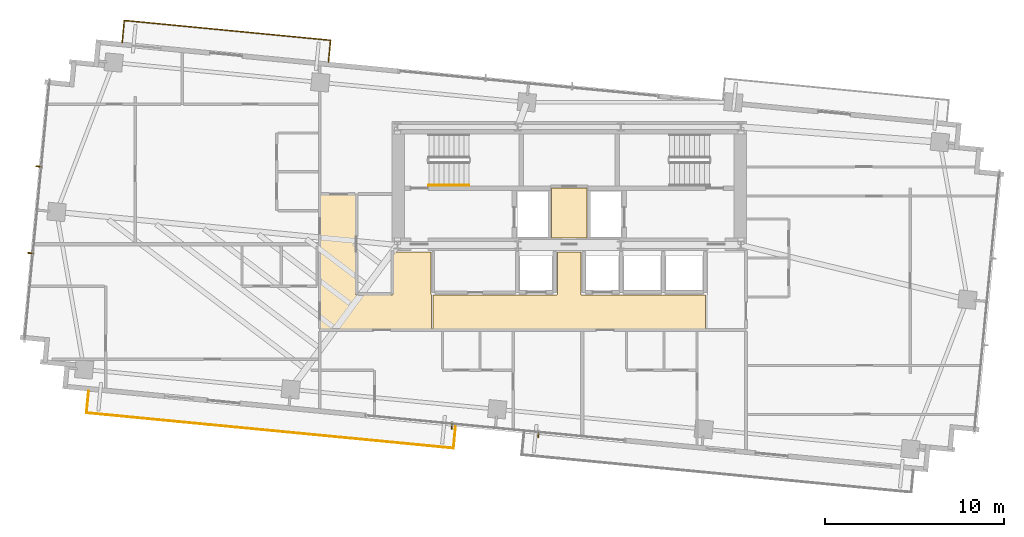
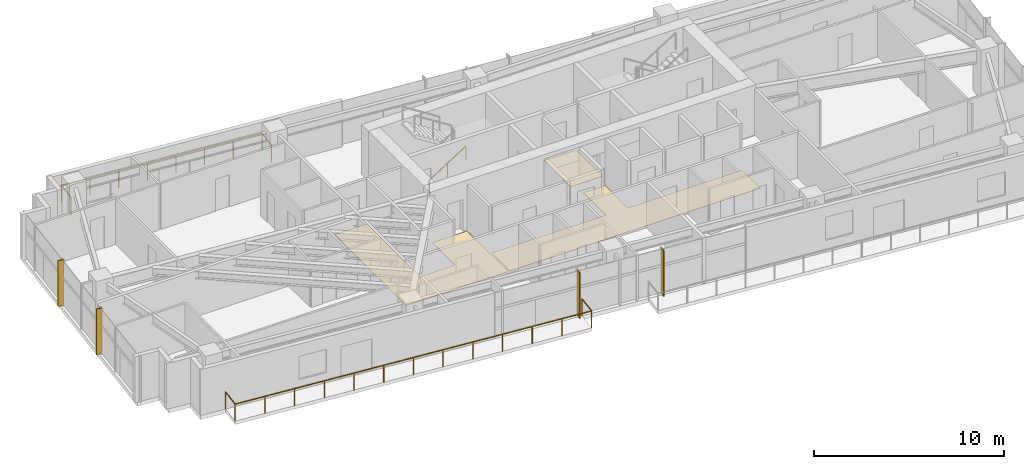
# One storey, part 19 of 20: 4 shading devices, 3 coverings, 3 railings.
"""IFC4 building model written with IfcOpenShell, lengths in metres."""

import ifcopenshell
import ifcopenshell.guid

model = None  # the IFC model being written
_history = None  # IfcOwnerHistory: only IFC2X3 demands one
_inside = {}  # id of a spatial element -> (the spatial element, [elements in it])
_under = {}  # id of a project, library or spatial element -> (it, [spatial elements below it])
_declared = {}  # id of a project -> (the project, [libraries it declares])
_typed = {}  # id of a type object -> (the type object, [elements of that type])
_made_of = {}  # id of a material, layer set ... -> (it, [elements and type objects made of it])


def new_model(schema):
    """Start an empty IFC model of exactly this schema.

    Asked for "IFC4X3", IfcOpenShell would pick the latest addendum, in which some entities
    have other attributes; the version numbers below select the first issue.
    IFC2X3 requires an IfcOwnerHistory on every rooted entity: one is made here for all.
    """
    global model, _history
    if schema == "IFC4X3":
        model = ifcopenshell.file(schema_version=(4, 3, 0, 0))
    else:
        model = ifcopenshell.file(schema=schema)
    _inside.clear()
    _under.clear()
    _declared.clear()
    _typed.clear()
    _made_of.clear()
    _history = None
    if model.schema == "IFC2X3":
        org = make("IfcOrganization", Name="unknown")
        user = make(
            "IfcPersonAndOrganization",
            ThePerson=make("IfcPerson", FamilyName="unknown"),
            TheOrganization=org,
        )
        app = make(
            "IfcApplication",
            ApplicationDeveloper=org,
            Version="unknown",
            ApplicationFullName="unknown",
            ApplicationIdentifier="unknown",
        )
        _history = make(
            "IfcOwnerHistory",
            OwningUser=user,
            OwningApplication=app,
            ChangeAction="ADDED",
            CreationDate=0,
        )
    return model


def make(cls, **values):
    """One entity of the class cls with the attributes given. An attribute that is None is left unset."""
    return model.create_entity(
        cls, **{name: value for name, value in values.items() if value is not None}
    )


def rooted(cls, **values):
    """An entity with a GlobalId (a new one), such as an element, a storey or a relation."""
    return make(cls, GlobalId=ifcopenshell.guid.new(), OwnerHistory=_history, **values)


def si_unit(unit_type, name, prefix=None):
    """IfcSIUnit, for example si_unit("LENGTHUNIT", "METRE", prefix="MILLI")."""
    return make("IfcSIUnit", UnitType=unit_type, Prefix=prefix, Name=name)


def assignment(units):
    """IfcUnitAssignment: the units of a project."""
    return None if units is None else make("IfcUnitAssignment", Units=units)


def point(xyz):
    """IfcCartesianPoint."""
    return None if xyz is None else make("IfcCartesianPoint", Coordinates=xyz)


def direction(xyz):
    """IfcDirection."""
    return None if xyz is None else make("IfcDirection", DirectionRatios=xyz)


def frame(location, z_axis=None, x_axis=None):
    """IfcAxis2Placement3D, a coordinate frame: its origin and axes. An axis left out is left unset."""
    return make(
        "IfcAxis2Placement3D",
        Location=point(location),
        Axis=direction(z_axis),
        RefDirection=direction(x_axis),
    )


def frame_2d(location, x_axis=None):
    """IfcAxis2Placement2D, a coordinate frame in the plane: its origin and x axis."""
    return make(
        "IfcAxis2Placement2D", Location=point(location), RefDirection=direction(x_axis)
    )


def origin():
    """The frame at (0, 0, 0) with its axes left unset."""
    return frame((0.0, 0.0, 0.0))


def origin_2d():
    """The frame at (0, 0) in the plane with its x axis left unset."""
    return frame_2d((0.0, 0.0))


def place(relative_to, where):
    """IfcLocalPlacement: puts the frame where relative to a parent placement (None: the world)."""
    return make(
        "IfcLocalPlacement", PlacementRelTo=relative_to, RelativePlacement=where
    )


def context(
    kind, dimensions, precision=None, world=None, true_north=None, identifier=None
):
    """IfcGeometricRepresentationContext, for example the 3D "Model" context."""
    return make(
        "IfcGeometricRepresentationContext",
        ContextIdentifier=identifier,
        ContextType=kind,
        CoordinateSpaceDimension=dimensions,
        Precision=precision,
        WorldCoordinateSystem=world,
        TrueNorth=true_north,
    )


def subcontext(parent, identifier, kind, view, scale=None):
    """IfcGeometricRepresentationSubContext, for example "Body" below "Model"."""
    return make(
        "IfcGeometricRepresentationSubContext",
        ContextIdentifier=identifier,
        ContextType=kind,
        ParentContext=parent,
        TargetScale=scale,
        TargetView=view,
    )


def project(units=None, contexts=None):
    """IfcProject with its units and contexts."""
    return rooted(
        "IfcProject",
        Name="project",
        RepresentationContexts=contexts,
        UnitsInContext=assignment(units),
    )


def spatial(cls, under=None, at=None, **own):
    """A site, building, storey or space (cls), placed at a placement, below another one or the project."""
    s = rooted(cls, ObjectPlacement=at, **own)
    if under is not None:
        _under.setdefault(under.id(), (under, []))[1].append(s)
    return s


def polyline(points):
    """IfcPolyline through the points."""
    return make("IfcPolyline", Points=[point(p) for p in points])


def profile(cls, at=None, kind="AREA", **sizes):
    """A parametric profile (cls). Its sizes go by their IFC names, for example OverallWidth=200.0."""
    return make(cls, ProfileType=kind, Position=at, **sizes)


def rectangle(**sizes):
    """IfcRectangleProfileDef."""
    return profile("IfcRectangleProfileDef", **sizes)


def outline(outer, holes=None, kind="AREA"):
    """IfcArbitraryClosedProfileDef: a profile drawn as a closed curve; with holes, ...WithVoids."""
    if holes is None:
        return make("IfcArbitraryClosedProfileDef", ProfileType=kind, OuterCurve=outer)
    return make(
        "IfcArbitraryProfileDefWithVoids",
        ProfileType=kind,
        OuterCurve=outer,
        InnerCurves=holes,
    )


def extrude(swept, where, along, depth):
    """IfcExtrudedAreaSolid: the profile swept, set in the frame where, extruded along a direction by depth."""
    return make(
        "IfcExtrudedAreaSolid",
        SweptArea=swept,
        Position=where,
        ExtrudedDirection=direction(along),
        Depth=depth,
    )


def shape(context_of_items, identifier, shape_type, items):
    """IfcShapeRepresentation: the items that make up one representation, for example the "Body"."""
    return make(
        "IfcShapeRepresentation",
        ContextOfItems=context_of_items,
        RepresentationIdentifier=identifier,
        RepresentationType=shape_type,
        Items=items,
    )


def source(mapping_origin, context_of_items, identifier, shape_type, items):
    """IfcRepresentationMap: a shape defined once, which mapped items show again and again."""
    return make(
        "IfcRepresentationMap",
        MappingOrigin=mapping_origin,
        MappedRepresentation=shape(context_of_items, identifier, shape_type, items),
    )


def transform(
    local_origin,
    x_axis=None,
    y_axis=None,
    z_axis=None,
    scale=None,
    scale2=None,
    scale3=None,
    uniform=True,
):
    """IfcCartesianTransformationOperator3D, or its non-uniform kind. x_axis, y_axis, z_axis: its Axis1, 2, 3."""
    if uniform:
        return make(
            "IfcCartesianTransformationOperator3D",
            Axis1=direction(x_axis),
            Axis2=direction(y_axis),
            LocalOrigin=point(local_origin),
            Scale=scale,
            Axis3=direction(z_axis),
        )
    return make(
        "IfcCartesianTransformationOperator3DnonUniform",
        Axis1=direction(x_axis),
        Axis2=direction(y_axis),
        LocalOrigin=point(local_origin),
        Scale=scale,
        Axis3=direction(z_axis),
        Scale2=scale2,
        Scale3=scale3,
    )


def mapped(mapping_source, mapping_target):
    """IfcMappedItem: shows the shape of a source again, moved by a transform."""
    return make(
        "IfcMappedItem", MappingSource=mapping_source, MappingTarget=mapping_target
    )


def material(Name=None, Category=None):
    """IfcMaterial."""
    return make("IfcMaterial", Name=Name, Category=Category)


def layer(
    of_material, thickness, ventilated=None, Name=None, Category=None, Priority=None
):
    """IfcMaterialLayer: one layer of a wall or slab, of a material (None: an air gap)."""
    return make(
        "IfcMaterialLayer",
        Material=of_material,
        LayerThickness=thickness,
        IsVentilated=ventilated,
        Name=Name,
        Category=Category,
        Priority=Priority,
    )


def layer_set(layers, Name=None):
    """IfcMaterialLayerSet."""
    return make("IfcMaterialLayerSet", MaterialLayers=layers, LayerSetName=Name)


def made_of(thing, what):
    """Note that an element or type object is made of a material, layer set ...; save() writes the relation."""
    if what is not None:
        _made_of.setdefault(what.id(), (what, []))[1].append(thing)
    return thing


def type_object(cls, material=None, **own):
    """A type object (cls), such as IfcWallType, which elements share."""
    return made_of(rooted(cls, **own), material)


def type_shapes(of_type, sources):
    """Give a type object the sources (RepresentationMaps) that its elements show as mapped items."""
    of_type.RepresentationMaps = sources


def element(
    cls,
    number,
    at=None,
    inside=None,
    cuts=None,
    type_object=None,
    material=None,
    context=None,
    identifier="Body",
    shape_type=None,
    held_by="IfcProductDefinitionShape",
    body=None,
    shapes=None,
    **own,
):
    """One element of the class cls, such as IfcWall. Its Tag is "e" and its number.

    at: its placement. inside: the storey or other place that contains it. cuts: it is an
    opening in that element (IfcRelVoidsElement). A single representation is given by context,
    identifier, shape_type and body (its items); several are given by shapes. held_by: the class
    of the entity that holds the representations. save() writes the other relations.
    """
    e = rooted(cls, Tag="e%d" % number, ObjectPlacement=at, **own)
    if body is not None:
        shapes = [shape(context, identifier, shape_type, body)]
    if shapes is not None:
        e.Representation = make(held_by, Representations=shapes)
    if inside is not None:
        _inside.setdefault(inside.id(), (inside, []))[1].append(e)
    if cuts is not None:
        rooted(
            "IfcRelVoidsElement", RelatingBuildingElement=cuts, RelatedOpeningElement=e
        )
    if type_object is not None:
        _typed.setdefault(type_object.id(), (type_object, []))[1].append(e)
    return made_of(e, material)


def aggregate(whole, parts):
    """IfcRelAggregates: a whole, such as a stair, and the parts it consists of."""
    return rooted("IfcRelAggregates", RelatingObject=whole, RelatedObjects=parts)


def save(model, path):
    """Write the relations noted so far, then the file.

    IfcRelAggregates (storeys below a building ...), IfcRelContainedInSpatialStructure (elements
    in a storey), IfcRelDefinesByType, IfcRelAssociatesMaterial and IfcRelDeclares: one each for
    every whole, place, type object, material and project.
    """
    for whole, parts in _under.values():
        aggregate(whole, parts)
    for where, things in _inside.values():
        rooted(
            "IfcRelContainedInSpatialStructure",
            RelatedElements=things,
            RelatingStructure=where,
        )
    for kind, things in _typed.values():
        rooted("IfcRelDefinesByType", RelatedObjects=things, RelatingType=kind)
    for what, things in _made_of.values():
        rooted("IfcRelAssociatesMaterial", RelatedObjects=things, RelatingMaterial=what)
    for by, libraries in _declared.values():
        rooted("IfcRelDeclares", RelatingContext=by, RelatedDefinitions=libraries)
    model.write(path)


model = new_model("IFC4")

# Units and contexts
model_context = context("Model", 3, precision=1e-05, world=origin(), true_north=direction((0.0, 1.0)))
body_context = subcontext(model_context, "Body", "Model", "MODEL_VIEW")
ifc_project = project(units=[si_unit("LENGTHUNIT", "METRE"), si_unit("AREAUNIT", "SQUARE_METRE"), si_unit("VOLUMEUNIT", "CUBIC_METRE"), si_unit("PLANEANGLEUNIT", "RADIAN"), si_unit("MASSUNIT", "GRAM", prefix="KILO")], contexts=[model_context])

# Site, building, storey
site_placement = place(None, origin())
site = spatial("IfcSite", under=ifc_project, at=site_placement, CompositionType="ELEMENT")
building_placement = place(site_placement, origin())
building = spatial("IfcBuilding", under=site, at=building_placement, Name="Astriad Promenade Condominiums", CompositionType="ELEMENT")
storey_placement = place(building_placement, frame((0.0, 0.0, 134.199951171875)))
storey = spatial("IfcBuildingStorey", under=building, at=storey_placement, Name="L38", CompositionType="ELEMENT", Elevation=134.199951171875)

# Coverings
ifc_material_1 = material(Name="Polished Lakefront Terrazzo Flooring")
ifc_layer = layer(ifc_material_1, 0.02001953125)
ifc_layer_set = layer_set([ifc_layer], Name="Polished Lakefront Terrazzo Flooring")
covering_type = type_object("IfcCoveringType", Name="COV-FLOR-TERRAZZO-20", PredefinedType="FLOORING", material=ifc_layer_set)
covering_1_placement = place(storey_placement, origin())
element("IfcCovering", 1, at=covering_1_placement, inside=storey, type_object=covering_type, Name="FLR-L38-CSL", PredefinedType="FLOORING", context=body_context, shape_type="SweptSolid", body=[
    extrude(outline(polyline([(36.97998046875, 17.7900390625), (35.02001953125, 17.7900390625), (35.02001953125, 20.580078125), (36.97998046875, 20.580078125), (36.97998046875, 17.7900390625)])), origin(), (0.0, 0.0, 1.0), 0.02001953125),
])
covering_2_placement = place(storey_placement, origin())
element("IfcCovering", 2, at=covering_2_placement, inside=storey, type_object=covering_type, Name="FLR-L38-LLB", PredefinedType="FLOORING", context=body_context, shape_type="SweptSolid", body=[
    extrude(outline(polyline([(32.9736328125, 14.6201171875), (32.974609375, 14.619140625), (32.977783203125, 14.61669921875), (32.981201171875, 14.61474609375), (32.984619140625, 14.613037109375), (32.98828125, 14.61181640625), (32.9921875, 14.61083984375), (32.99609375, 14.610107421875), (33.0, 14.610107421875), (35.300048828125, 14.610107421875), (35.303955078125, 14.610107421875), (35.307861328125, 14.61083984375), (35.3115234375, 14.61181640625), (35.315185546875, 14.613037109375), (35.31884765625, 14.61474609375), (35.322265625, 14.61669921875), (35.325439453125, 14.619140625), (35.328369140625, 14.62158203125), (35.330810546875, 14.62451171875), (35.333251953125, 14.627685546875), (35.335205078125, 14.631103515625), (35.3369140625, 14.634765625), (35.33837890625, 14.638427734375), (35.339111328125, 14.64208984375), (35.33984375, 14.64599609375), (35.340087890625, 14.64990234375), (35.340087890625, 17.010009765625), (36.659912109375, 17.010009765625), (36.659912109375, 14.64990234375), (36.66015625, 14.64599609375), (36.660888671875, 14.64208984375), (36.66162109375, 14.638427734375), (36.6630859375, 14.634765625), (36.664794921875, 14.631103515625), (36.666748046875, 14.627685546875), (36.669189453125, 14.62451171875), (36.671630859375, 14.62158203125), (36.674560546875, 14.619140625), (36.677734375, 14.61669921875), (36.68115234375, 14.61474609375), (36.684814453125, 14.613037109375), (36.6884765625, 14.61181640625), (36.692138671875, 14.61083984375), (36.696044921875, 14.610107421875), (36.699951171875, 14.610107421875), (43.610107421875, 14.610107421875), (43.610107421875, 12.68994140625), (28.389892578125, 12.68994140625), (28.389892578125, 14.6201171875), (32.9736328125, 14.6201171875)])), origin(), (0.0, 0.0, 1.0), 0.02001953125),
])
covering_3_placement = place(storey_placement, origin())
element("IfcCovering", 3, at=covering_3_placement, inside=storey, type_object=covering_type, Name="FLR-L38-COR-2", PredefinedType="FLOORING", context=body_context, shape_type="SweptSolid", body=[
    extrude(outline(polyline([(28.300048828125, 12.68994140625), (22.090087890625, 12.68994140625), (22.090087890625, 20.2099609375), (24.06005859375, 20.2099609375), (24.06005859375, 14.659912109375), (24.060302734375, 14.656005859375), (24.060791015625, 14.652099609375), (24.061767578125, 14.6484375), (24.06298828125, 14.644775390625), (24.064697265625, 14.64111328125), (24.066650390625, 14.6376953125), (24.069091796875, 14.634521484375), (24.07177734375, 14.631591796875), (24.07470703125, 14.629150390625), (24.077880859375, 14.626708984375), (24.0810546875, 14.624755859375), (24.084716796875, 14.623046875), (24.08837890625, 14.62158203125), (24.09228515625, 14.620849609375), (24.09619140625, 14.6201171875), (24.10009765625, 14.6201171875), (26.1201171875, 14.6201171875), (26.123779296875, 14.6201171875), (26.127685546875, 14.620849609375), (26.131591796875, 14.62158203125), (26.13525390625, 14.623046875), (26.138916015625, 14.624755859375), (26.14208984375, 14.626708984375), (26.1455078125, 14.629150390625), (26.148193359375, 14.631591796875), (26.15087890625, 14.634521484375), (26.1533203125, 14.6376953125), (26.1552734375, 14.64111328125), (26.156982421875, 14.644775390625), (26.158203125, 14.6484375), (26.1591796875, 14.652099609375), (26.159912109375, 14.656005859375), (26.159912109375, 14.659912109375), (26.159912109375, 17.010009765625), (28.280029296875, 17.010009765625), (28.280029296875, 14.659912109375), (28.2802734375, 14.656005859375), (28.28076171875, 14.652099609375), (28.28173828125, 14.6484375), (28.282958984375, 14.644775390625), (28.28466796875, 14.64111328125), (28.28662109375, 14.6376953125), (28.2890625, 14.634521484375), (28.291748046875, 14.631591796875), (28.294677734375, 14.629150390625), (28.2978515625, 14.626708984375), (28.300048828125, 14.62548828125), (28.300048828125, 12.68994140625)])), origin(), (0.0, 0.0, 1.0), 0.02001953125),
])

# Shading devices
ifc_material_2 = material(Name="Anodised aluminium 6063-T6 Black Fin", Category="aluminium")
shading_device_type = type_object("IfcShadingDeviceType", Name="FIN-BLACK-260", PredefinedType="USERDEFINED", material=ifc_material_2)
shared_shape_1 = source(origin(), body_context, "Body", "SweptSolid", [
    extrude(rectangle(XDim=0.06494140625, YDim=0.320068359375, at=origin_2d()), origin(), (0.0, 0.0, 1.0), 2.93994140625),
])
type_shapes(shading_device_type, [shared_shape_1])
for number, where, z_axis, x_axis, name in (
    (4, (5.880126953125, 16.947509765625, 0.0), (0.0, 0.0, 1.0), (0.09584575252, 0.995396198367, 0.0), "CW-L38-W-FIN-01"),
    (5, (6.3466796875, 21.791748046875, 0.0), (0.0, 0.0, 1.0), (0.09584575252, 0.995396198367, 0.0), "CW-L38-W-FIN-02"),
    (6, (34.278564453125, 6.80224609375, 0.0), (0.0, 0.0, 1.0), (-0.995396198367, 0.09584575252, 0.0), "CW-L38-S-FIN-01"),
    (7, (29.44091796875, 7.26806640625, 0.0), (0.0, 0.0, 1.0), (-0.995396198367, 0.09584575252, 0.0), "CW-L38-S-FIN-02"),
):
    element("IfcShadingDevice", number, at=place(storey_placement, frame(where, z_axis=z_axis, x_axis=x_axis)), inside=storey, type_object=shading_device_type, Name=name, ObjectType="FIN", PredefinedType="USERDEFINED", context=body_context, shape_type="MappedRepresentation", body=[
        mapped(shared_shape_1, transform((0.0, 0.0, 0.0), scale=1.0)),
    ])

# Railings
ifc_material_3 = material(Name="Laminated Glass and Stainless Steel Balustrade", Category="steel")
railing_type_1 = type_object("IfcRailingType", Name="GRD-BALC-1120", PredefinedType="BALUSTRADE", material=ifc_material_3)
shared_shape_2 = source(origin(), body_context, "Body", "SweptSolid", [
    extrude(rectangle(XDim=0.048095703125, YDim=0.048095703125, at=origin_2d()), frame((0.0, 0.0, 1.09619140625), z_axis=(-0.095857307208, -0.99539508571, 0.0), x_axis=(0.99539508571, -0.095857307208, 0.0)), (0.0, 0.0, 1.0), 1.219970703125),
    extrude(rectangle(XDim=0.048095703125, YDim=0.048095703125, at=origin_2d()), frame((-0.116943359375, -1.21435546875, 1.09619140625), z_axis=(0.99539595375, -0.095848292931, 0.0), x_axis=(0.095848292931, 0.99539595375, 0.0)), (0.0, 0.0, 1.0), 20.609130859375),
    extrude(rectangle(XDim=0.048095703125, YDim=0.048095703125, at=origin_2d()), frame((20.397216796875, -3.189697265625, 1.09619140625), z_axis=(0.095857307208, 0.99539508571, 0.0), x_axis=(-0.99539508571, 0.095857307208, 0.0)), (0.0, 0.0, 1.0), 1.219970703125),
    extrude(rectangle(XDim=0.0419921875, YDim=0.0419921875, at=origin_2d()), origin(), (0.0, 0.0, 1.0), 1.072021484375),
    extrude(rectangle(XDim=0.0419921875, YDim=0.0419921875, at=origin_2d()), frame((-0.116943359375, -1.21435546875, 0.0)), (0.0, 0.0, 1.0), 1.072021484375),
    extrude(rectangle(XDim=0.0419921875, YDim=0.0419921875, at=origin_2d()), frame((1.592529296875, -1.37890625, 0.0)), (0.0, 0.0, 1.0), 1.072021484375),
    extrude(rectangle(XDim=0.0419921875, YDim=0.0419921875, at=origin_2d()), frame((3.302001953125, -1.54345703125, 0.0)), (0.0, 0.0, 1.0), 1.072021484375),
    extrude(rectangle(XDim=0.0419921875, YDim=0.0419921875, at=origin_2d()), frame((5.01171875, -1.708251953125, 0.0)), (0.0, 0.0, 1.0), 1.072021484375),
    extrude(rectangle(XDim=0.0419921875, YDim=0.0419921875, at=origin_2d()), frame((6.72119140625, -1.872802734375, 0.0)), (0.0, 0.0, 1.0), 1.072021484375),
    extrude(rectangle(XDim=0.0419921875, YDim=0.0419921875, at=origin_2d()), frame((8.4306640625, -2.037353515625, 0.0)), (0.0, 0.0, 1.0), 1.072021484375),
    extrude(rectangle(XDim=0.0419921875, YDim=0.0419921875, at=origin_2d()), frame((10.14013671875, -2.2021484375, 0.0)), (0.0, 0.0, 1.0), 1.072021484375),
    extrude(rectangle(XDim=0.0419921875, YDim=0.0419921875, at=origin_2d()), frame((11.849609375, -2.36669921875, 0.0)), (0.0, 0.0, 1.0), 1.072021484375),
    extrude(rectangle(XDim=0.0419921875, YDim=0.0419921875, at=origin_2d()), frame((13.55908203125, -2.53125, 0.0)), (0.0, 0.0, 1.0), 1.072021484375),
    extrude(rectangle(XDim=0.0419921875, YDim=0.0419921875, at=origin_2d()), frame((15.2685546875, -2.69580078125, 0.0)), (0.0, 0.0, 1.0), 1.072021484375),
    extrude(rectangle(XDim=0.0419921875, YDim=0.0419921875, at=origin_2d()), frame((16.978271484375, -2.8603515625, 0.0)), (0.0, 0.0, 1.0), 1.072021484375),
    extrude(rectangle(XDim=0.0419921875, YDim=0.0419921875, at=origin_2d()), frame((18.687744140625, -3.025146484375, 0.0)), (0.0, 0.0, 1.0), 1.072021484375),
    extrude(rectangle(XDim=0.0419921875, YDim=0.0419921875, at=origin_2d()), frame((20.397216796875, -3.189697265625, 0.0)), (0.0, 0.0, 1.0), 1.072021484375),
    extrude(rectangle(XDim=0.0419921875, YDim=0.0419921875, at=origin_2d()), frame((20.51416015625, -1.975341796875, 0.0)), (0.0, 0.0, 1.0), 1.072021484375),
])
railing_1_placement = place(storey_placement, frame((9.1298828125, 9.23388671875, 0.0)))
element("IfcRailing", 8, at=railing_1_placement, inside=storey, type_object=railing_type_1, Name="GRD-BALC-L38-SW", PredefinedType="BALUSTRADE", context=body_context, shape_type="MappedRepresentation", body=[
    mapped(shared_shape_2, transform((0.0, 0.0, 0.0), scale=1.0)),
])
shared_shape_3 = source(origin(), body_context, "Body", "SweptSolid", [
    extrude(rectangle(XDim=0.048095703125, YDim=0.048095703125, at=origin_2d()), frame((0.0, 0.0, 1.09619140625), z_axis=(0.095857307208, 0.99539508571, 0.0), x_axis=(-0.99539508571, 0.095857307208, 0.0)), (0.0, 0.0, 1.0), 1.219970703125),
    extrude(rectangle(XDim=0.048095703125, YDim=0.048095703125, at=origin_2d()), frame((0.116943359375, 1.21435546875, 1.09619140625), z_axis=(-0.995395003651, 0.095858159316, 0.0), x_axis=(-0.095858159316, -0.995395003651, 0.0)), (0.0, 0.0, 1.0), 11.5859375),
    extrude(rectangle(XDim=0.048095703125, YDim=0.048095703125, at=origin_2d()), frame((-11.41552734375, 2.324951171875, 1.09619140625), z_axis=(-0.096055582315, -0.995375971734, 0.0), x_axis=(0.995375971734, -0.096055582315, 0.0)), (0.0, 0.0, 1.0), 1.219970703125),
    extrude(rectangle(XDim=0.0419921875, YDim=0.0419921875, at=origin_2d()), origin(), (0.0, 0.0, 1.0), 1.072021484375),
    extrude(rectangle(XDim=0.0419921875, YDim=0.0419921875, at=origin_2d()), frame((0.116943359375, 1.21435546875, 0.0)), (0.0, 0.0, 1.0), 1.072021484375),
    extrude(rectangle(XDim=0.0419921875, YDim=0.0419921875, at=origin_2d()), frame((-1.530517578125, 1.373046875, 0.0)), (0.0, 0.0, 1.0), 1.072021484375),
    extrude(rectangle(XDim=0.0419921875, YDim=0.0419921875, at=origin_2d()), frame((-3.177978515625, 1.53173828125, 0.0)), (0.0, 0.0, 1.0), 1.072021484375),
    extrude(rectangle(XDim=0.0419921875, YDim=0.0419921875, at=origin_2d()), frame((-4.825439453125, 1.6904296875, 0.0)), (0.0, 0.0, 1.0), 1.072021484375),
    extrude(rectangle(XDim=0.0419921875, YDim=0.0419921875, at=origin_2d()), frame((-6.47314453125, 1.848876953125, 0.0)), (0.0, 0.0, 1.0), 1.072021484375),
    extrude(rectangle(XDim=0.0419921875, YDim=0.0419921875, at=origin_2d()), frame((-8.12060546875, 2.007568359375, 0.0)), (0.0, 0.0, 1.0), 1.072021484375),
    extrude(rectangle(XDim=0.0419921875, YDim=0.0419921875, at=origin_2d()), frame((-9.76806640625, 2.166259765625, 0.0)), (0.0, 0.0, 1.0), 1.072021484375),
    extrude(rectangle(XDim=0.0419921875, YDim=0.0419921875, at=origin_2d()), frame((-11.41552734375, 2.324951171875, 0.0)), (0.0, 0.0, 1.0), 1.072021484375),
    extrude(rectangle(XDim=0.0419921875, YDim=0.0419921875, at=origin_2d()), frame((-11.53271484375, 1.110595703125, 0.0)), (0.0, 0.0, 1.0), 1.072021484375),
])
type_shapes(railing_type_1, [shared_shape_2, shared_shape_3])
railing_2_placement = place(storey_placement, frame((22.541015625, 27.633056640625, 0.0)))
element("IfcRailing", 9, at=railing_2_placement, inside=storey, type_object=railing_type_1, Name="GRD-BALC-L38-NW", PredefinedType="BALUSTRADE", context=body_context, shape_type="MappedRepresentation", body=[
    mapped(shared_shape_3, transform((0.0, 0.0, 0.0), scale=1.0)),
])
ifc_material_4 = material(Name="Brushed Stainless Steel Handrail", Category="steel")
railing_type_2 = type_object("IfcRailingType", Name="HRL-STAIR-920", PredefinedType="HANDRAIL", material=ifc_material_4)
shared_shape_4 = source(origin(), body_context, "Body", "SweptSolid", [
    extrude(rectangle(XDim=0.048095703125, YDim=0.048095703125, at=origin_2d()), frame((0.0, 0.0, 0.8759765625), z_axis=(0.84418770128, 0.0, 0.536047689118), x_axis=(0.0, 1.0, 0.0)), (0.0, 0.0, 1.0), 2.6533203125),
    extrude(rectangle(XDim=0.0419921875, YDim=0.0419921875, at=origin_2d()), origin(), (0.0, 0.0, 1.0), 0.851806640625),
    extrude(rectangle(XDim=0.0419921875, YDim=0.0419921875, at=origin_2d()), frame((1.1201171875, 0.0, 0.711181640625)), (0.0, 0.0, 1.0), 0.851806640625),
    extrude(rectangle(XDim=0.0419921875, YDim=0.0419921875, at=origin_2d()), frame((2.239990234375, 0.0, 1.42236328125)), (0.0, 0.0, 1.0), 0.851806640625),
])
type_shapes(railing_type_2, [shared_shape_4])
railing_3_placement = place(storey_placement, frame((28.14990234375, 20.75, 0.177734375)))
element("IfcRailing", 10, at=railing_3_placement, inside=storey, type_object=railing_type_2, Name="L38 ST-1 stair handrail 1", PredefinedType="HANDRAIL", context=body_context, shape_type="MappedRepresentation", body=[
    mapped(shared_shape_4, transform((0.0, 0.0, 0.0), scale=1.0)),
])

save(model, "model.ifc")
